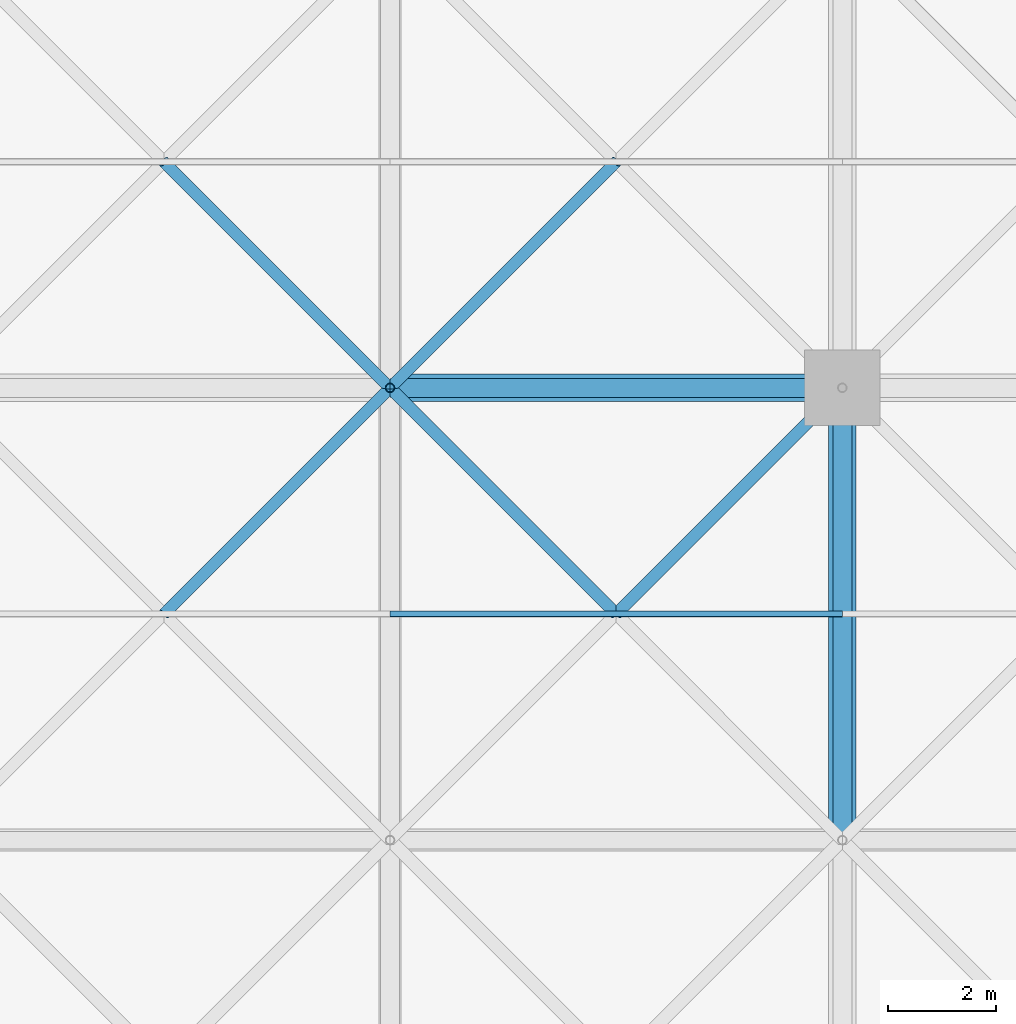
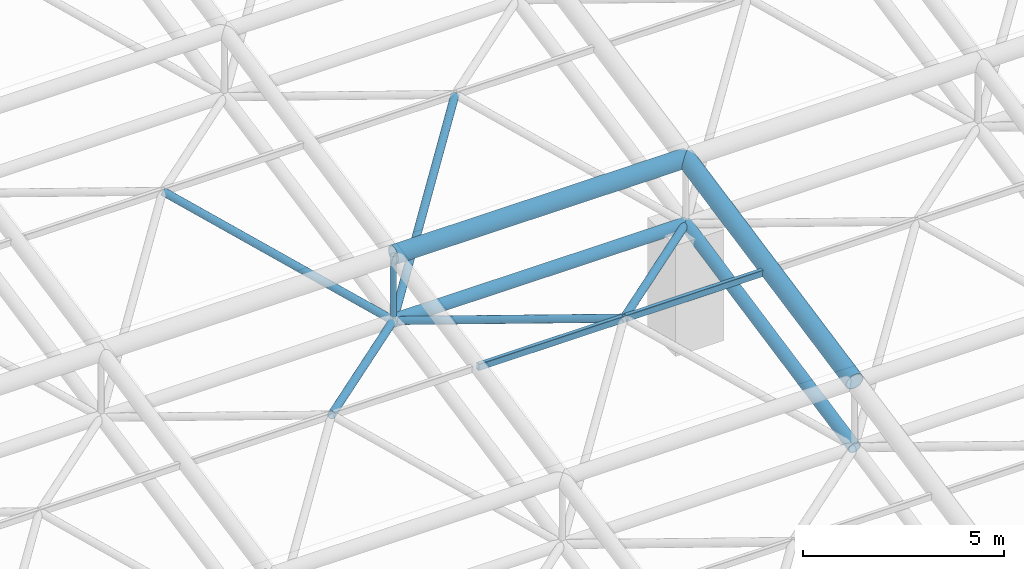
# One storey, part 15 of 81: 11 members.
"""IFC4 building model written with IfcOpenShell, lengths in metres."""

from ifc_helpers import new_model, si_unit, direction, frame, origin, origin_2d, place, context, subcontext, project, spatial, hollow_rectangle, hollow_circle, extrude, material, material_profile, profile_set, type_object, element, save


model = new_model("IFC4")

# Units and contexts
model_context = context("Model", 3, precision=1e-05, world=origin(), true_north=direction((0.0, 1.0)))
body_context = subcontext(model_context, "Body", "Model", "MODEL_VIEW")
ifc_project = project(units=[si_unit("LENGTHUNIT", "METRE"), si_unit("AREAUNIT", "SQUARE_METRE"), si_unit("VOLUMEUNIT", "CUBIC_METRE"), si_unit("PLANEANGLEUNIT", "RADIAN"), si_unit("MASSUNIT", "GRAM", prefix="KILO")], contexts=[model_context])

# Site, building, storey
site_placement = place(None, origin())
site = spatial("IfcSite", under=ifc_project, at=site_placement, CompositionType="ELEMENT")
building_placement = place(site_placement, origin())
building = spatial("IfcBuilding", under=site, at=building_placement, Name="Qawsi Khor Wholesale Market", CompositionType="ELEMENT")
storey_placement = place(building_placement, frame((0.0, 0.0, 16.199951171875)))
storey = spatial("IfcBuildingStorey", under=building, at=storey_placement, Name="L03", CompositionType="ELEMENT", Elevation=16.199951171875)

# Members
ifc_material = material(Name="Steel S355", Category="steel")
ifc_material_profile_1 = material_profile(ifc_material, hollow_circle(Radius=0.177734375, WallThickness=0.01611328125, at=origin_2d()), Name="CHS 355.6x16.0")
ifc_profile_set_1 = profile_set([ifc_material_profile_1], Name="Steel S355")
member_type_1 = type_object("IfcMemberType", Name="Space-Frame Bottom Chord CHS 355.6x16.0", PredefinedType="CHORD", material=ifc_profile_set_1)
member_1_placement = place(storey_placement, frame((50.39990234375, 58.800048828125, 3.3701171875), z_axis=(1.0, 0.0, 0.0), x_axis=(0.0, 1.0, 0.0)))
element("IfcMember", 1, at=member_1_placement, inside=storey, type_object=member_type_1, Name="Space frame bottom chord X WH (6,7)", PredefinedType="CHORD", context=body_context, shape_type="SweptSolid", body=[
    extrude(hollow_circle(Radius=0.177734375, WallThickness=0.01611328125, at=origin_2d()), origin(), (0.0, 0.0, 1.0), 8.400146484375),
])
member_2_placement = place(storey_placement, frame((58.800048828125, 50.39990234375, 1.670166015625), z_axis=(0.0, 0.98013111127, 0.198350711418), x_axis=(-1.0, 0.0, 0.0)))
element("IfcMember", 2, at=member_2_placement, inside=storey, type_object=member_type_1, Name="Space frame bottom chord Y WH (7,6)", PredefinedType="CHORD", context=body_context, shape_type="SweptSolid", body=[
    extrude(hollow_circle(Radius=0.177734375, WallThickness=0.01611328125, at=origin_2d()), origin(), (0.0, 0.0, 1.0), 8.5703125),
])
ifc_material_profile_2 = material_profile(ifc_material, hollow_rectangle(XDim=0.1201171875, YDim=0.199951171875, WallThickness=0.008056640625, InnerFilletRadius=0.008056640625, OuterFilletRadius=0.01611328125, at=origin_2d()), Name="RHS 200x120x8.0")
ifc_profile_set_2 = profile_set([ifc_material_profile_2], Name="Steel S355")
member_type_2 = type_object("IfcMemberType", Name="Space-Frame Heavy Purlin RHS 200x120x8.0", PredefinedType="PURLIN", material=ifc_profile_set_2)
member_3_placement = place(storey_placement, frame((50.39990234375, 54.60009765625, 4.52001953125), z_axis=(1.0, 0.0, 0.0), x_axis=(0.0, 1.0, 0.0)))
element("IfcMember", 3, at=member_3_placement, inside=storey, type_object=member_type_2, Name="Space frame purlin WH (6,6)", PredefinedType="PURLIN", context=body_context, shape_type="SweptSolid", body=[
    extrude(hollow_rectangle(XDim=0.1201171875, YDim=0.199951171875, WallThickness=0.008056640625, InnerFilletRadius=0.008056640625, OuterFilletRadius=0.01611328125, at=origin_2d()), origin(), (0.0, 0.0, 1.0), 8.400146484375),
])
ifc_material_profile_3 = material_profile(ifc_material, hollow_circle(Radius=0.109619140625, WallThickness=0.010009765625, at=origin_2d()), Name="CHS 219.1x10.0")
ifc_profile_set_3 = profile_set([ifc_material_profile_3], Name="Steel S355")
member_type_3 = type_object("IfcMemberType", Name="Space-Frame Inner Diagonal CHS 219.1x10.0", PredefinedType="RAFTER", material=ifc_profile_set_3)
member_4_placement = place(storey_placement, frame((50.39990234375, 58.800048828125, 3.3701171875), z_axis=(-0.694216714393, -0.694216714393, 0.190069216113), x_axis=(0.707106781187, -0.707106781187, 0.0)))
element("IfcMember", 4, at=member_4_placement, inside=storey, type_object=member_type_3, Name="Space frame diagonal WH (5,6)-3", PredefinedType="RAFTER", context=body_context, shape_type="SweptSolid", body=[
    extrude(hollow_circle(Radius=0.109619140625, WallThickness=0.010009765625, at=origin_2d()), origin(), (0.0, 0.0, 1.0), 6.0498046875),
])
member_5_placement = place(storey_placement, frame((50.39990234375, 58.800048828125, 3.3701171875), z_axis=(-0.637521961484, 0.637521961484, 0.432586982294), x_axis=(-0.707106781187, -0.707106781187, 0.0)))
element("IfcMember", 5, at=member_5_placement, inside=storey, type_object=member_type_3, Name="Space frame diagonal WH (5,7)-2", PredefinedType="RAFTER", context=body_context, shape_type="SweptSolid", body=[
    extrude(hollow_circle(Radius=0.109619140625, WallThickness=0.010009765625, at=origin_2d()), origin(), (0.0, 0.0, 1.0), 6.587890625),
])
member_6_placement = place(storey_placement, frame((58.800048828125, 58.800048828125, 3.3701171875), z_axis=(-0.694216714393, -0.694216714393, 0.190069216113), x_axis=(0.707106781187, -0.707106781187, 0.0)))
element("IfcMember", 6, at=member_6_placement, inside=storey, type_object=member_type_3, Name="Space frame diagonal WH (6,6)-3", PredefinedType="RAFTER", context=body_context, shape_type="SweptSolid", body=[
    extrude(hollow_circle(Radius=0.109619140625, WallThickness=0.010009765625, at=origin_2d()), origin(), (0.0, 0.0, 1.0), 6.0498046875),
])
member_7_placement = place(storey_placement, frame((50.39990234375, 58.800048828125, 3.3701171875), z_axis=(0.694237619642, -0.694197266374, 0.19006389145), x_axis=(0.70708622964, 0.707127332136, 0.0)))
element("IfcMember", 7, at=member_7_placement, inside=storey, type_object=member_type_3, Name="Space frame diagonal WH (6,6)-4", PredefinedType="RAFTER", context=body_context, shape_type="SweptSolid", body=[
    extrude(hollow_circle(Radius=0.109619140625, WallThickness=0.010009765625, at=origin_2d()), origin(), (0.0, 0.0, 1.0), 6.050048828125),
])
member_8_placement = place(storey_placement, frame((50.39990234375, 58.800048828125, 3.3701171875), z_axis=(0.637543957519, 0.637506899628, 0.432576762155), x_axis=(-0.70708622964, 0.707127332136, 0.0)))
element("IfcMember", 8, at=member_8_placement, inside=storey, type_object=member_type_3, Name="Space frame diagonal WH (6,7)-1", PredefinedType="RAFTER", context=body_context, shape_type="SweptSolid", body=[
    extrude(hollow_circle(Radius=0.109619140625, WallThickness=0.010009765625, at=origin_2d()), origin(), (0.0, 0.0, 1.0), 6.588134765625),
])
ifc_material_profile_4 = material_profile(ifc_material, hollow_circle(Radius=0.25390625, WallThickness=0.02490234375, at=origin_2d()), Name="CHS 508.0x25.0")
ifc_profile_set_4 = profile_set([ifc_material_profile_4], Name="Steel S355")
member_type_4 = type_object("IfcMemberType", Name="Space-Frame Main Chord CHS 508.0x25.0", PredefinedType="CHORD", material=ifc_profile_set_4)
member_9_placement = place(storey_placement, frame((50.39990234375, 58.800048828125, 5.3701171875), z_axis=(1.0, 0.0, 0.0), x_axis=(0.0, 1.0, 0.0)))
element("IfcMember", 9, at=member_9_placement, inside=storey, type_object=member_type_4, Name="Space frame top chord X WH (6,7)", PredefinedType="CHORD", context=body_context, shape_type="SweptSolid", body=[
    extrude(hollow_circle(Radius=0.25390625, WallThickness=0.02490234375, at=origin_2d()), origin(), (0.0, 0.0, 1.0), 8.400146484375),
])
member_10_placement = place(storey_placement, frame((58.800048828125, 50.39990234375, 3.670166015625), z_axis=(0.0, 0.98013111127, 0.198350711418), x_axis=(-1.0, 0.0, 0.0)))
element("IfcMember", 10, at=member_10_placement, inside=storey, type_object=member_type_4, Name="Space frame top chord Y WH (7,6)", PredefinedType="CHORD", context=body_context, shape_type="SweptSolid", body=[
    extrude(hollow_circle(Radius=0.25390625, WallThickness=0.02490234375, at=origin_2d()), origin(), (0.0, 0.0, 1.0), 8.5703125),
])
ifc_material_profile_5 = material_profile(ifc_material, hollow_circle(Radius=0.084228515625, WallThickness=0.008056640625, at=origin_2d()), Name="CHS 168.3x8.0")
ifc_profile_set_5 = profile_set([ifc_material_profile_5], Name="Steel S355")
member_type_5 = type_object("IfcMemberType", Name="Space-Frame Vertical Strut CHS 168.3x8.0", PredefinedType="STRUT", material=ifc_profile_set_5)
member_11_placement = place(storey_placement, frame((50.39990234375, 58.800048828125, 3.3701171875), z_axis=(0.0, 0.0, 1.0), x_axis=(1.0, 0.0, 0.0)))
element("IfcMember", 11, at=member_11_placement, inside=storey, type_object=member_type_5, Name="Space frame post WH (6,7)", PredefinedType="STRUT", context=body_context, shape_type="SweptSolid", body=[
    extrude(hollow_circle(Radius=0.084228515625, WallThickness=0.008056640625, at=origin_2d()), origin(), (0.0, 0.0, 1.0), 2.0),
])

save(model, "model.ifc")
